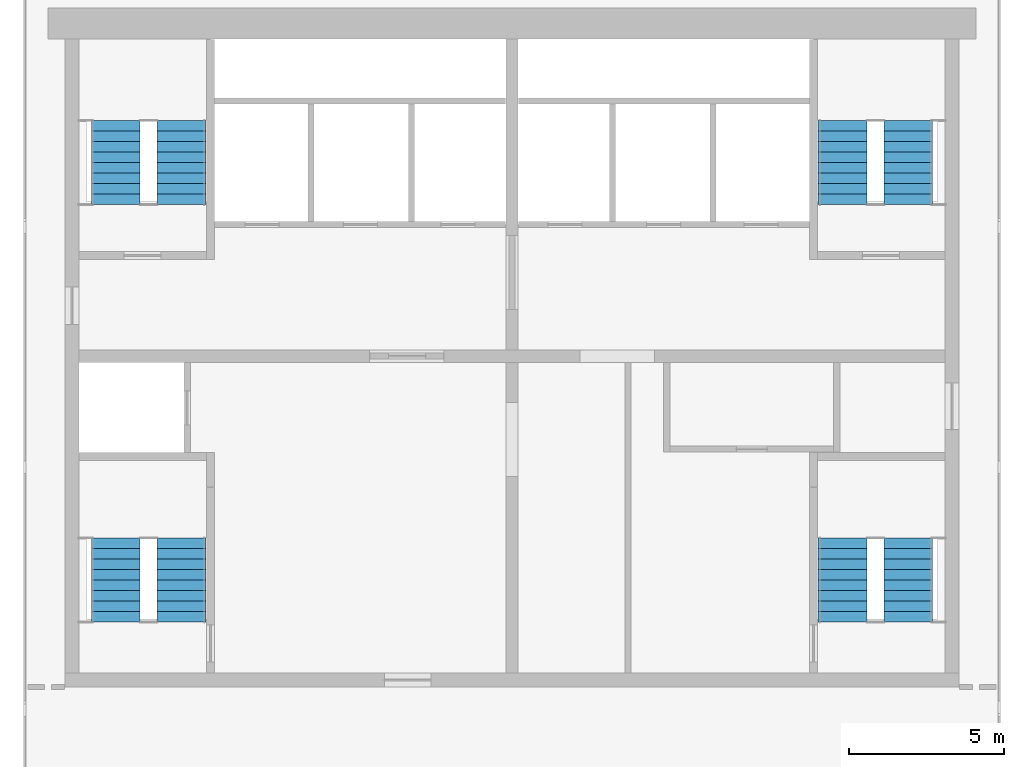
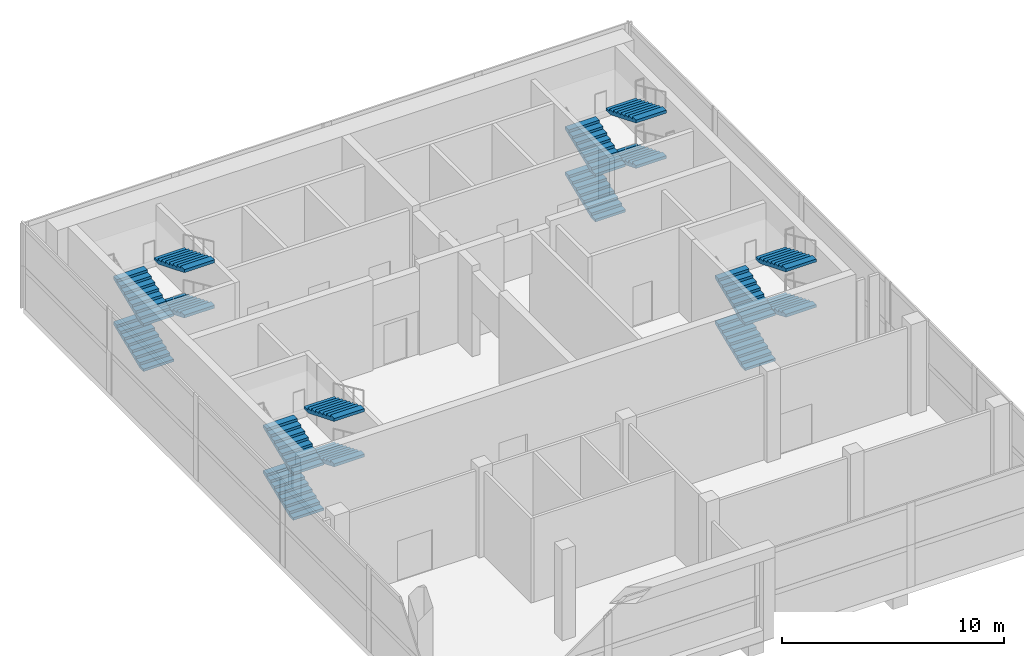
# One storey, part 5 of 6: 16 stair flights, 4 elements without a shape of their own.
"""IFC4 building model written with IfcOpenShell, lengths in metres."""

from ifc_helpers import new_model, si_unit, direction, frame, origin, place, context, subcontext, project, spatial, polyline, outline, extrude, material, type_object, element, aggregate, save


model = new_model("IFC4")

# Units and contexts
model_context = context("Model", 3, precision=1e-05, world=origin(), true_north=direction((0.0, 1.0)))
body_context = subcontext(model_context, "Body", "Model", "MODEL_VIEW")
ifc_project = project(units=[si_unit("LENGTHUNIT", "METRE"), si_unit("AREAUNIT", "SQUARE_METRE"), si_unit("VOLUMEUNIT", "CUBIC_METRE"), si_unit("PLANEANGLEUNIT", "RADIAN"), si_unit("MASSUNIT", "GRAM", prefix="KILO")], contexts=[model_context])

# Site, building, storey
site_placement = place(None, origin())
site = spatial("IfcSite", under=ifc_project, at=site_placement, CompositionType="ELEMENT")
building_placement = place(site_placement, origin())
building = spatial("IfcBuilding", under=site, at=building_placement, Name="Pilkhan Gate Tower", CompositionType="ELEMENT")
storey_placement = place(building_placement, frame((0.0, 0.0, 287.699951171875)))
storey = spatial("IfcBuildingStorey", under=building, at=storey_placement, Name="L75", CompositionType="ELEMENT", Elevation=287.699951171875)

# Stair, stair flights
ifc_material = material(Name="Concrete C40/50 precast", Category="concrete")
stair_type_1 = type_object("IfcStairType", Name="Stair ST1 139x340", PredefinedType="HALF_TURN_STAIR", material=ifc_material)
stair_1_placement = place(storey_placement, origin())
stair_1 = element("IfcStair", 1, at=stair_1_placement, inside=storey, type_object=stair_type_1, Name="Stair ST1 L75", PredefinedType="HALF_TURN_STAIR")
stair_flight_type_1 = type_object("IfcStairFlightType", Name="Stair flight ST1 139x340x9", PredefinedType="STRAIGHT", material=ifc_material)
stair_flight_1_placement = place(storey_placement, frame((85.68994140625, 73.89990234375, 0.0), z_axis=(0.0, 0.0, 1.0), x_axis=(0.0, 1.0, 0.0)))
stair_flight_1 = element("IfcStairFlight", 2, at=stair_flight_1_placement, type_object=stair_flight_type_1, Name="ST1 flight 1", NumberOfRisers=9, NumberOfTreads=8, PredefinedType="STRAIGHT", RiserHeight=0.138888889, TreadLength=0.34, context=body_context, shape_type="SweptSolid", body=[
    extrude(outline(polyline([(0.0, 0.0), (0.0, 0.138916015625), (0.340087890625, 0.138916015625), (0.340087890625, 0.27783203125), (0.679931640625, 0.27783203125), (0.679931640625, 0.416748046875), (1.02001953125, 0.416748046875), (1.02001953125, 0.5556640625), (1.360107421875, 0.5556640625), (1.360107421875, 0.6943359375), (1.699951171875, 0.6943359375), (1.699951171875, 0.833251953125), (2.0400390625, 0.833251953125), (2.0400390625, 0.97216796875), (2.3798828125, 0.97216796875), (2.3798828125, 1.111083984375), (2.719970703125, 1.111083984375), (2.719970703125, 1.25), (2.719970703125, 0.94921875), (0.396484375, 0.0), (0.0, 0.0)])), frame((0.0, 0.7900390625, 0.0), z_axis=(0.0, -1.0, 0.0), x_axis=(1.0, 0.0, 0.0)), (0.0, 0.0, 1.0), 1.580078125),
])
stair_flight_2_placement = place(storey_placement, frame((87.81005859375, 76.6201171875, 1.25), z_axis=(0.0, 0.0, 1.0), x_axis=(0.0, -1.0, 0.0)))
stair_flight_2 = element("IfcStairFlight", 3, at=stair_flight_2_placement, type_object=stair_flight_type_1, Name="ST1 flight 2", NumberOfRisers=9, NumberOfTreads=8, PredefinedType="STRAIGHT", RiserHeight=0.138888889, TreadLength=0.34, context=body_context, shape_type="SweptSolid", body=[
    extrude(outline(polyline([(0.0, 0.0), (0.0, 0.138916015625), (0.340087890625, 0.138916015625), (0.340087890625, 0.27783203125), (0.679931640625, 0.27783203125), (0.679931640625, 0.416748046875), (1.02001953125, 0.416748046875), (1.02001953125, 0.5556640625), (1.360107421875, 0.5556640625), (1.360107421875, 0.6943359375), (1.699951171875, 0.6943359375), (1.699951171875, 0.833251953125), (2.0400390625, 0.833251953125), (2.0400390625, 0.97216796875), (2.3798828125, 0.97216796875), (2.3798828125, 1.111083984375), (2.719970703125, 1.111083984375), (2.719970703125, 1.25), (2.719970703125, 0.94921875), (0.396484375, 0.0), (0.0, 0.0)])), frame((0.0, 0.7900390625, 0.0), z_axis=(0.0, -1.0, 0.0), x_axis=(1.0, 0.0, 0.0)), (0.0, 0.0, 1.0), 1.580078125),
])
stair_flight_3_placement = place(storey_placement, frame((85.68994140625, 73.89990234375, 2.5), z_axis=(0.0, 0.0, 1.0), x_axis=(0.0, 1.0, 0.0)))
stair_flight_3 = element("IfcStairFlight", 4, at=stair_flight_3_placement, type_object=stair_flight_type_1, Name="ST1 flight 3", NumberOfRisers=9, NumberOfTreads=8, PredefinedType="STRAIGHT", RiserHeight=0.138888889, TreadLength=0.34, context=body_context, shape_type="SweptSolid", body=[
    extrude(outline(polyline([(0.0, 0.0), (0.0, 0.138916015625), (0.340087890625, 0.138916015625), (0.340087890625, 0.27783203125), (0.679931640625, 0.27783203125), (0.679931640625, 0.416748046875), (1.02001953125, 0.416748046875), (1.02001953125, 0.5556640625), (1.360107421875, 0.5556640625), (1.360107421875, 0.6943359375), (1.699951171875, 0.6943359375), (1.699951171875, 0.833251953125), (2.0400390625, 0.833251953125), (2.0400390625, 0.97216796875), (2.3798828125, 0.97216796875), (2.3798828125, 1.111083984375), (2.719970703125, 1.111083984375), (2.719970703125, 1.25), (2.719970703125, 0.94921875), (0.396484375, 0.0), (0.0, 0.0)])), frame((0.0, 0.7900390625, 0.0), z_axis=(0.0, -1.0, 0.0), x_axis=(1.0, 0.0, 0.0)), (0.0, 0.0, 1.0), 1.580078125),
])
stair_flight_4_placement = place(storey_placement, frame((87.81005859375, 76.6201171875, 3.75), z_axis=(0.0, 0.0, 1.0), x_axis=(0.0, -1.0, 0.0)))
stair_flight_4 = element("IfcStairFlight", 5, at=stair_flight_4_placement, type_object=stair_flight_type_1, Name="ST1 flight 4", NumberOfRisers=9, NumberOfTreads=8, PredefinedType="STRAIGHT", RiserHeight=0.138888889, TreadLength=0.34, context=body_context, shape_type="SweptSolid", body=[
    extrude(outline(polyline([(0.0, 0.0), (0.0, 0.138916015625), (0.340087890625, 0.138916015625), (0.340087890625, 0.27783203125), (0.679931640625, 0.27783203125), (0.679931640625, 0.416748046875), (1.02001953125, 0.416748046875), (1.02001953125, 0.5556640625), (1.360107421875, 0.5556640625), (1.360107421875, 0.6943359375), (1.699951171875, 0.6943359375), (1.699951171875, 0.833251953125), (2.0400390625, 0.833251953125), (2.0400390625, 0.97216796875), (2.3798828125, 0.97216796875), (2.3798828125, 1.111083984375), (2.719970703125, 1.111083984375), (2.719970703125, 1.25), (2.719970703125, 0.94921875), (0.396484375, 0.0), (0.0, 0.0)])), frame((0.0, 0.7900390625, 0.0), z_axis=(0.0, -1.0, 0.0), x_axis=(1.0, 0.0, 0.0)), (0.0, 0.0, 1.0), 1.580078125),
])
aggregate(stair_1, [stair_flight_1, stair_flight_2, stair_flight_3, stair_flight_4])

stair_type_2 = type_object("IfcStairType", Name="Stair ST2 139x340", PredefinedType="HALF_TURN_STAIR", material=ifc_material)
stair_2_placement = place(storey_placement, origin())
stair_2 = element("IfcStair", 6, at=stair_2_placement, inside=storey, type_object=stair_type_2, Name="Stair ST2 L75", PredefinedType="HALF_TURN_STAIR")
stair_flight_type_2 = type_object("IfcStairFlightType", Name="Stair flight ST2 139x340x9", PredefinedType="STRAIGHT", material=ifc_material)
stair_flight_5_placement = place(storey_placement, frame((62.18994140625, 73.89990234375, 0.0), z_axis=(0.0, 0.0, 1.0), x_axis=(0.0, 1.0, 0.0)))
stair_flight_5 = element("IfcStairFlight", 7, at=stair_flight_5_placement, type_object=stair_flight_type_2, Name="ST2 flight 1", NumberOfRisers=9, NumberOfTreads=8, PredefinedType="STRAIGHT", RiserHeight=0.138888889, TreadLength=0.34, context=body_context, shape_type="SweptSolid", body=[
    extrude(outline(polyline([(0.0, 0.0), (0.0, 0.138916015625), (0.340087890625, 0.138916015625), (0.340087890625, 0.27783203125), (0.679931640625, 0.27783203125), (0.679931640625, 0.416748046875), (1.02001953125, 0.416748046875), (1.02001953125, 0.5556640625), (1.360107421875, 0.5556640625), (1.360107421875, 0.6943359375), (1.699951171875, 0.6943359375), (1.699951171875, 0.833251953125), (2.0400390625, 0.833251953125), (2.0400390625, 0.97216796875), (2.3798828125, 0.97216796875), (2.3798828125, 1.111083984375), (2.719970703125, 1.111083984375), (2.719970703125, 1.25), (2.719970703125, 0.94921875), (0.396484375, 0.0), (0.0, 0.0)])), frame((0.0, 0.7900390625, 0.0), z_axis=(0.0, -1.0, 0.0), x_axis=(1.0, 0.0, 0.0)), (0.0, 0.0, 1.0), 1.580078125),
])
stair_flight_6_placement = place(storey_placement, frame((64.31005859375, 76.6201171875, 1.25), z_axis=(0.0, 0.0, 1.0), x_axis=(0.0, -1.0, 0.0)))
stair_flight_6 = element("IfcStairFlight", 8, at=stair_flight_6_placement, type_object=stair_flight_type_2, Name="ST2 flight 2", NumberOfRisers=9, NumberOfTreads=8, PredefinedType="STRAIGHT", RiserHeight=0.138888889, TreadLength=0.34, context=body_context, shape_type="SweptSolid", body=[
    extrude(outline(polyline([(0.0, 0.0), (0.0, 0.138916015625), (0.340087890625, 0.138916015625), (0.340087890625, 0.27783203125), (0.679931640625, 0.27783203125), (0.679931640625, 0.416748046875), (1.02001953125, 0.416748046875), (1.02001953125, 0.5556640625), (1.360107421875, 0.5556640625), (1.360107421875, 0.6943359375), (1.699951171875, 0.6943359375), (1.699951171875, 0.833251953125), (2.0400390625, 0.833251953125), (2.0400390625, 0.97216796875), (2.3798828125, 0.97216796875), (2.3798828125, 1.111083984375), (2.719970703125, 1.111083984375), (2.719970703125, 1.25), (2.719970703125, 0.94921875), (0.396484375, 0.0), (0.0, 0.0)])), frame((0.0, 0.7900390625, 0.0), z_axis=(0.0, -1.0, 0.0), x_axis=(1.0, 0.0, 0.0)), (0.0, 0.0, 1.0), 1.580078125),
])
stair_flight_7_placement = place(storey_placement, frame((62.18994140625, 73.89990234375, 2.5), z_axis=(0.0, 0.0, 1.0), x_axis=(0.0, 1.0, 0.0)))
stair_flight_7 = element("IfcStairFlight", 9, at=stair_flight_7_placement, type_object=stair_flight_type_2, Name="ST2 flight 3", NumberOfRisers=9, NumberOfTreads=8, PredefinedType="STRAIGHT", RiserHeight=0.138888889, TreadLength=0.34, context=body_context, shape_type="SweptSolid", body=[
    extrude(outline(polyline([(0.0, 0.0), (0.0, 0.138916015625), (0.340087890625, 0.138916015625), (0.340087890625, 0.27783203125), (0.679931640625, 0.27783203125), (0.679931640625, 0.416748046875), (1.02001953125, 0.416748046875), (1.02001953125, 0.5556640625), (1.360107421875, 0.5556640625), (1.360107421875, 0.6943359375), (1.699951171875, 0.6943359375), (1.699951171875, 0.833251953125), (2.0400390625, 0.833251953125), (2.0400390625, 0.97216796875), (2.3798828125, 0.97216796875), (2.3798828125, 1.111083984375), (2.719970703125, 1.111083984375), (2.719970703125, 1.25), (2.719970703125, 0.94921875), (0.396484375, 0.0), (0.0, 0.0)])), frame((0.0, 0.7900390625, 0.0), z_axis=(0.0, -1.0, 0.0), x_axis=(1.0, 0.0, 0.0)), (0.0, 0.0, 1.0), 1.580078125),
])
stair_flight_8_placement = place(storey_placement, frame((64.31005859375, 76.6201171875, 3.75), z_axis=(0.0, 0.0, 1.0), x_axis=(0.0, -1.0, 0.0)))
stair_flight_8 = element("IfcStairFlight", 10, at=stair_flight_8_placement, type_object=stair_flight_type_2, Name="ST2 flight 4", NumberOfRisers=9, NumberOfTreads=8, PredefinedType="STRAIGHT", RiserHeight=0.138888889, TreadLength=0.34, context=body_context, shape_type="SweptSolid", body=[
    extrude(outline(polyline([(0.0, 0.0), (0.0, 0.138916015625), (0.340087890625, 0.138916015625), (0.340087890625, 0.27783203125), (0.679931640625, 0.27783203125), (0.679931640625, 0.416748046875), (1.02001953125, 0.416748046875), (1.02001953125, 0.5556640625), (1.360107421875, 0.5556640625), (1.360107421875, 0.6943359375), (1.699951171875, 0.6943359375), (1.699951171875, 0.833251953125), (2.0400390625, 0.833251953125), (2.0400390625, 0.97216796875), (2.3798828125, 0.97216796875), (2.3798828125, 1.111083984375), (2.719970703125, 1.111083984375), (2.719970703125, 1.25), (2.719970703125, 0.94921875), (0.396484375, 0.0), (0.0, 0.0)])), frame((0.0, 0.7900390625, 0.0), z_axis=(0.0, -1.0, 0.0), x_axis=(1.0, 0.0, 0.0)), (0.0, 0.0, 1.0), 1.580078125),
])
aggregate(stair_2, [stair_flight_5, stair_flight_6, stair_flight_7, stair_flight_8])

stair_type_3 = type_object("IfcStairType", Name="Stair ST3 139x340", PredefinedType="HALF_TURN_STAIR", material=ifc_material)
stair_3_placement = place(storey_placement, origin())
stair_3 = element("IfcStair", 11, at=stair_3_placement, inside=storey, type_object=stair_type_3, Name="Stair ST3 L75", PredefinedType="HALF_TURN_STAIR")
stair_flight_type_3 = type_object("IfcStairFlightType", Name="Stair flight ST3 139x340x9", PredefinedType="STRAIGHT", material=ifc_material)
stair_flight_9_placement = place(storey_placement, frame((62.18994140625, 87.39990234375, 0.0), z_axis=(0.0, 0.0, 1.0), x_axis=(0.0, 1.0, 0.0)))
stair_flight_9 = element("IfcStairFlight", 12, at=stair_flight_9_placement, type_object=stair_flight_type_3, Name="ST3 flight 1", NumberOfRisers=9, NumberOfTreads=8, PredefinedType="STRAIGHT", RiserHeight=0.138888889, TreadLength=0.34, context=body_context, shape_type="SweptSolid", body=[
    extrude(outline(polyline([(0.0, 0.0), (0.0, 0.138916015625), (0.340087890625, 0.138916015625), (0.340087890625, 0.27783203125), (0.679931640625, 0.27783203125), (0.679931640625, 0.416748046875), (1.02001953125, 0.416748046875), (1.02001953125, 0.5556640625), (1.360107421875, 0.5556640625), (1.360107421875, 0.6943359375), (1.699951171875, 0.6943359375), (1.699951171875, 0.833251953125), (2.0400390625, 0.833251953125), (2.0400390625, 0.97216796875), (2.3798828125, 0.97216796875), (2.3798828125, 1.111083984375), (2.719970703125, 1.111083984375), (2.719970703125, 1.25), (2.719970703125, 0.94921875), (0.396484375, 0.0), (0.0, 0.0)])), frame((0.0, 0.7900390625, 0.0), z_axis=(0.0, -1.0, 0.0), x_axis=(1.0, 0.0, 0.0)), (0.0, 0.0, 1.0), 1.580078125),
])
stair_flight_10_placement = place(storey_placement, frame((64.31005859375, 90.1201171875, 1.25), z_axis=(0.0, 0.0, 1.0), x_axis=(0.0, -1.0, 0.0)))
stair_flight_10 = element("IfcStairFlight", 13, at=stair_flight_10_placement, type_object=stair_flight_type_3, Name="ST3 flight 2", NumberOfRisers=9, NumberOfTreads=8, PredefinedType="STRAIGHT", RiserHeight=0.138888889, TreadLength=0.34, context=body_context, shape_type="SweptSolid", body=[
    extrude(outline(polyline([(0.0, 0.0), (0.0, 0.138916015625), (0.340087890625, 0.138916015625), (0.340087890625, 0.27783203125), (0.679931640625, 0.27783203125), (0.679931640625, 0.416748046875), (1.02001953125, 0.416748046875), (1.02001953125, 0.5556640625), (1.360107421875, 0.5556640625), (1.360107421875, 0.6943359375), (1.699951171875, 0.6943359375), (1.699951171875, 0.833251953125), (2.0400390625, 0.833251953125), (2.0400390625, 0.97216796875), (2.3798828125, 0.97216796875), (2.3798828125, 1.111083984375), (2.719970703125, 1.111083984375), (2.719970703125, 1.25), (2.719970703125, 0.94921875), (0.396484375, 0.0), (0.0, 0.0)])), frame((0.0, 0.7900390625, 0.0), z_axis=(0.0, -1.0, 0.0), x_axis=(1.0, 0.0, 0.0)), (0.0, 0.0, 1.0), 1.580078125),
])
stair_flight_11_placement = place(storey_placement, frame((62.18994140625, 87.39990234375, 2.5), z_axis=(0.0, 0.0, 1.0), x_axis=(0.0, 1.0, 0.0)))
stair_flight_11 = element("IfcStairFlight", 14, at=stair_flight_11_placement, type_object=stair_flight_type_3, Name="ST3 flight 3", NumberOfRisers=9, NumberOfTreads=8, PredefinedType="STRAIGHT", RiserHeight=0.138888889, TreadLength=0.34, context=body_context, shape_type="SweptSolid", body=[
    extrude(outline(polyline([(0.0, 0.0), (0.0, 0.138916015625), (0.340087890625, 0.138916015625), (0.340087890625, 0.27783203125), (0.679931640625, 0.27783203125), (0.679931640625, 0.416748046875), (1.02001953125, 0.416748046875), (1.02001953125, 0.5556640625), (1.360107421875, 0.5556640625), (1.360107421875, 0.6943359375), (1.699951171875, 0.6943359375), (1.699951171875, 0.833251953125), (2.0400390625, 0.833251953125), (2.0400390625, 0.97216796875), (2.3798828125, 0.97216796875), (2.3798828125, 1.111083984375), (2.719970703125, 1.111083984375), (2.719970703125, 1.25), (2.719970703125, 0.94921875), (0.396484375, 0.0), (0.0, 0.0)])), frame((0.0, 0.7900390625, 0.0), z_axis=(0.0, -1.0, 0.0), x_axis=(1.0, 0.0, 0.0)), (0.0, 0.0, 1.0), 1.580078125),
])
stair_flight_12_placement = place(storey_placement, frame((64.31005859375, 90.1201171875, 3.75), z_axis=(0.0, 0.0, 1.0), x_axis=(0.0, -1.0, 0.0)))
stair_flight_12 = element("IfcStairFlight", 15, at=stair_flight_12_placement, type_object=stair_flight_type_3, Name="ST3 flight 4", NumberOfRisers=9, NumberOfTreads=8, PredefinedType="STRAIGHT", RiserHeight=0.138888889, TreadLength=0.34, context=body_context, shape_type="SweptSolid", body=[
    extrude(outline(polyline([(0.0, 0.0), (0.0, 0.138916015625), (0.340087890625, 0.138916015625), (0.340087890625, 0.27783203125), (0.679931640625, 0.27783203125), (0.679931640625, 0.416748046875), (1.02001953125, 0.416748046875), (1.02001953125, 0.5556640625), (1.360107421875, 0.5556640625), (1.360107421875, 0.6943359375), (1.699951171875, 0.6943359375), (1.699951171875, 0.833251953125), (2.0400390625, 0.833251953125), (2.0400390625, 0.97216796875), (2.3798828125, 0.97216796875), (2.3798828125, 1.111083984375), (2.719970703125, 1.111083984375), (2.719970703125, 1.25), (2.719970703125, 0.94921875), (0.396484375, 0.0), (0.0, 0.0)])), frame((0.0, 0.7900390625, 0.0), z_axis=(0.0, -1.0, 0.0), x_axis=(1.0, 0.0, 0.0)), (0.0, 0.0, 1.0), 1.580078125),
])
aggregate(stair_3, [stair_flight_9, stair_flight_10, stair_flight_11, stair_flight_12])

stair_type_4 = type_object("IfcStairType", Name="Stair ST4 139x340", PredefinedType="HALF_TURN_STAIR", material=ifc_material)
stair_4_placement = place(storey_placement, origin())
stair_4 = element("IfcStair", 16, at=stair_4_placement, inside=storey, type_object=stair_type_4, Name="Stair ST4 L75", PredefinedType="HALF_TURN_STAIR")
stair_flight_type_4 = type_object("IfcStairFlightType", Name="Stair flight ST4 139x340x9", PredefinedType="STRAIGHT", material=ifc_material)
stair_flight_13_placement = place(storey_placement, frame((85.68994140625, 87.39990234375, 0.0), z_axis=(0.0, 0.0, 1.0), x_axis=(0.0, 1.0, 0.0)))
stair_flight_13 = element("IfcStairFlight", 17, at=stair_flight_13_placement, type_object=stair_flight_type_4, Name="ST4 flight 1", NumberOfRisers=9, NumberOfTreads=8, PredefinedType="STRAIGHT", RiserHeight=0.138888889, TreadLength=0.34, context=body_context, shape_type="SweptSolid", body=[
    extrude(outline(polyline([(0.0, 0.0), (0.0, 0.138916015625), (0.340087890625, 0.138916015625), (0.340087890625, 0.27783203125), (0.679931640625, 0.27783203125), (0.679931640625, 0.416748046875), (1.02001953125, 0.416748046875), (1.02001953125, 0.5556640625), (1.360107421875, 0.5556640625), (1.360107421875, 0.6943359375), (1.699951171875, 0.6943359375), (1.699951171875, 0.833251953125), (2.0400390625, 0.833251953125), (2.0400390625, 0.97216796875), (2.3798828125, 0.97216796875), (2.3798828125, 1.111083984375), (2.719970703125, 1.111083984375), (2.719970703125, 1.25), (2.719970703125, 0.94921875), (0.396484375, 0.0), (0.0, 0.0)])), frame((0.0, 0.7900390625, 0.0), z_axis=(0.0, -1.0, 0.0), x_axis=(1.0, 0.0, 0.0)), (0.0, 0.0, 1.0), 1.580078125),
])
stair_flight_14_placement = place(storey_placement, frame((87.81005859375, 90.1201171875, 1.25), z_axis=(0.0, 0.0, 1.0), x_axis=(0.0, -1.0, 0.0)))
stair_flight_14 = element("IfcStairFlight", 18, at=stair_flight_14_placement, type_object=stair_flight_type_4, Name="ST4 flight 2", NumberOfRisers=9, NumberOfTreads=8, PredefinedType="STRAIGHT", RiserHeight=0.138888889, TreadLength=0.34, context=body_context, shape_type="SweptSolid", body=[
    extrude(outline(polyline([(0.0, 0.0), (0.0, 0.138916015625), (0.340087890625, 0.138916015625), (0.340087890625, 0.27783203125), (0.679931640625, 0.27783203125), (0.679931640625, 0.416748046875), (1.02001953125, 0.416748046875), (1.02001953125, 0.5556640625), (1.360107421875, 0.5556640625), (1.360107421875, 0.6943359375), (1.699951171875, 0.6943359375), (1.699951171875, 0.833251953125), (2.0400390625, 0.833251953125), (2.0400390625, 0.97216796875), (2.3798828125, 0.97216796875), (2.3798828125, 1.111083984375), (2.719970703125, 1.111083984375), (2.719970703125, 1.25), (2.719970703125, 0.94921875), (0.396484375, 0.0), (0.0, 0.0)])), frame((0.0, 0.7900390625, 0.0), z_axis=(0.0, -1.0, 0.0), x_axis=(1.0, 0.0, 0.0)), (0.0, 0.0, 1.0), 1.580078125),
])
stair_flight_15_placement = place(storey_placement, frame((85.68994140625, 87.39990234375, 2.5), z_axis=(0.0, 0.0, 1.0), x_axis=(0.0, 1.0, 0.0)))
stair_flight_15 = element("IfcStairFlight", 19, at=stair_flight_15_placement, type_object=stair_flight_type_4, Name="ST4 flight 3", NumberOfRisers=9, NumberOfTreads=8, PredefinedType="STRAIGHT", RiserHeight=0.138888889, TreadLength=0.34, context=body_context, shape_type="SweptSolid", body=[
    extrude(outline(polyline([(0.0, 0.0), (0.0, 0.138916015625), (0.340087890625, 0.138916015625), (0.340087890625, 0.27783203125), (0.679931640625, 0.27783203125), (0.679931640625, 0.416748046875), (1.02001953125, 0.416748046875), (1.02001953125, 0.5556640625), (1.360107421875, 0.5556640625), (1.360107421875, 0.6943359375), (1.699951171875, 0.6943359375), (1.699951171875, 0.833251953125), (2.0400390625, 0.833251953125), (2.0400390625, 0.97216796875), (2.3798828125, 0.97216796875), (2.3798828125, 1.111083984375), (2.719970703125, 1.111083984375), (2.719970703125, 1.25), (2.719970703125, 0.94921875), (0.396484375, 0.0), (0.0, 0.0)])), frame((0.0, 0.7900390625, 0.0), z_axis=(0.0, -1.0, 0.0), x_axis=(1.0, 0.0, 0.0)), (0.0, 0.0, 1.0), 1.580078125),
])
stair_flight_16_placement = place(storey_placement, frame((87.81005859375, 90.1201171875, 3.75), z_axis=(0.0, 0.0, 1.0), x_axis=(0.0, -1.0, 0.0)))
stair_flight_16 = element("IfcStairFlight", 20, at=stair_flight_16_placement, type_object=stair_flight_type_4, Name="ST4 flight 4", NumberOfRisers=9, NumberOfTreads=8, PredefinedType="STRAIGHT", RiserHeight=0.138888889, TreadLength=0.34, context=body_context, shape_type="SweptSolid", body=[
    extrude(outline(polyline([(0.0, 0.0), (0.0, 0.138916015625), (0.340087890625, 0.138916015625), (0.340087890625, 0.27783203125), (0.679931640625, 0.27783203125), (0.679931640625, 0.416748046875), (1.02001953125, 0.416748046875), (1.02001953125, 0.5556640625), (1.360107421875, 0.5556640625), (1.360107421875, 0.6943359375), (1.699951171875, 0.6943359375), (1.699951171875, 0.833251953125), (2.0400390625, 0.833251953125), (2.0400390625, 0.97216796875), (2.3798828125, 0.97216796875), (2.3798828125, 1.111083984375), (2.719970703125, 1.111083984375), (2.719970703125, 1.25), (2.719970703125, 0.94921875), (0.396484375, 0.0), (0.0, 0.0)])), frame((0.0, 0.7900390625, 0.0), z_axis=(0.0, -1.0, 0.0), x_axis=(1.0, 0.0, 0.0)), (0.0, 0.0, 1.0), 1.580078125),
])
aggregate(stair_4, [stair_flight_13, stair_flight_14, stair_flight_15, stair_flight_16])

save(model, "model.ifc")
